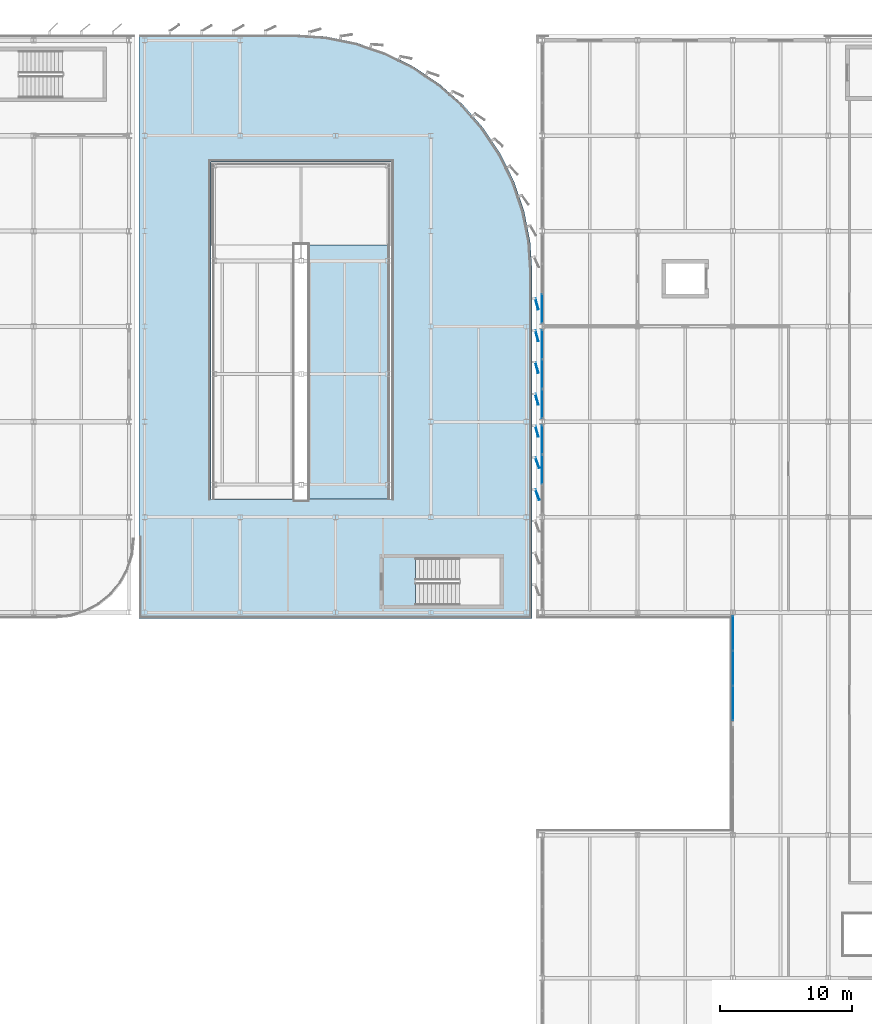
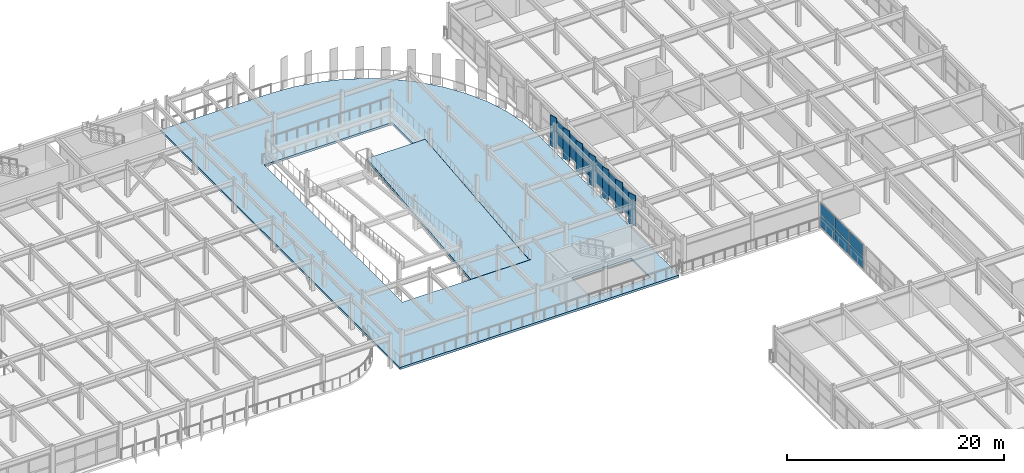
# One storey, part 45 of 80: 25 plates, 2 slabs, 4 elements without a shape of their own.
"""IFC4 building model written with IfcOpenShell, lengths in metres."""

import ifcopenshell
import ifcopenshell.guid

model = None  # the IFC model being written
_history = None  # IfcOwnerHistory: only IFC2X3 demands one
_inside = {}  # id of a spatial element -> (the spatial element, [elements in it])
_under = {}  # id of a project, library or spatial element -> (it, [spatial elements below it])
_declared = {}  # id of a project -> (the project, [libraries it declares])
_typed = {}  # id of a type object -> (the type object, [elements of that type])
_made_of = {}  # id of a material, layer set ... -> (it, [elements and type objects made of it])


def new_model(schema):
    """Start an empty IFC model of exactly this schema.

    Asked for "IFC4X3", IfcOpenShell would pick the latest addendum, in which some entities
    have other attributes; the version numbers below select the first issue.
    IFC2X3 requires an IfcOwnerHistory on every rooted entity: one is made here for all.
    """
    global model, _history
    if schema == "IFC4X3":
        model = ifcopenshell.file(schema_version=(4, 3, 0, 0))
    else:
        model = ifcopenshell.file(schema=schema)
    _inside.clear()
    _under.clear()
    _declared.clear()
    _typed.clear()
    _made_of.clear()
    _history = None
    if model.schema == "IFC2X3":
        org = make("IfcOrganization", Name="unknown")
        user = make(
            "IfcPersonAndOrganization",
            ThePerson=make("IfcPerson", FamilyName="unknown"),
            TheOrganization=org,
        )
        app = make(
            "IfcApplication",
            ApplicationDeveloper=org,
            Version="unknown",
            ApplicationFullName="unknown",
            ApplicationIdentifier="unknown",
        )
        _history = make(
            "IfcOwnerHistory",
            OwningUser=user,
            OwningApplication=app,
            ChangeAction="ADDED",
            CreationDate=0,
        )
    return model


def make(cls, **values):
    """One entity of the class cls with the attributes given. An attribute that is None is left unset."""
    return model.create_entity(
        cls, **{name: value for name, value in values.items() if value is not None}
    )


def rooted(cls, **values):
    """An entity with a GlobalId (a new one), such as an element, a storey or a relation."""
    return make(cls, GlobalId=ifcopenshell.guid.new(), OwnerHistory=_history, **values)


def si_unit(unit_type, name, prefix=None):
    """IfcSIUnit, for example si_unit("LENGTHUNIT", "METRE", prefix="MILLI")."""
    return make("IfcSIUnit", UnitType=unit_type, Prefix=prefix, Name=name)


def assignment(units):
    """IfcUnitAssignment: the units of a project."""
    return None if units is None else make("IfcUnitAssignment", Units=units)


def point(xyz):
    """IfcCartesianPoint."""
    return None if xyz is None else make("IfcCartesianPoint", Coordinates=xyz)


def direction(xyz):
    """IfcDirection."""
    return None if xyz is None else make("IfcDirection", DirectionRatios=xyz)


def frame(location, z_axis=None, x_axis=None):
    """IfcAxis2Placement3D, a coordinate frame: its origin and axes. An axis left out is left unset."""
    return make(
        "IfcAxis2Placement3D",
        Location=point(location),
        Axis=direction(z_axis),
        RefDirection=direction(x_axis),
    )


def frame_2d(location, x_axis=None):
    """IfcAxis2Placement2D, a coordinate frame in the plane: its origin and x axis."""
    return make(
        "IfcAxis2Placement2D", Location=point(location), RefDirection=direction(x_axis)
    )


def origin():
    """The frame at (0, 0, 0) with its axes left unset."""
    return frame((0.0, 0.0, 0.0))


def origin_2d():
    """The frame at (0, 0) in the plane with its x axis left unset."""
    return frame_2d((0.0, 0.0))


def place(relative_to, where):
    """IfcLocalPlacement: puts the frame where relative to a parent placement (None: the world)."""
    return make(
        "IfcLocalPlacement", PlacementRelTo=relative_to, RelativePlacement=where
    )


def context(
    kind, dimensions, precision=None, world=None, true_north=None, identifier=None
):
    """IfcGeometricRepresentationContext, for example the 3D "Model" context."""
    return make(
        "IfcGeometricRepresentationContext",
        ContextIdentifier=identifier,
        ContextType=kind,
        CoordinateSpaceDimension=dimensions,
        Precision=precision,
        WorldCoordinateSystem=world,
        TrueNorth=true_north,
    )


def subcontext(parent, identifier, kind, view, scale=None):
    """IfcGeometricRepresentationSubContext, for example "Body" below "Model"."""
    return make(
        "IfcGeometricRepresentationSubContext",
        ContextIdentifier=identifier,
        ContextType=kind,
        ParentContext=parent,
        TargetScale=scale,
        TargetView=view,
    )


def project(units=None, contexts=None):
    """IfcProject with its units and contexts."""
    return rooted(
        "IfcProject",
        Name="project",
        RepresentationContexts=contexts,
        UnitsInContext=assignment(units),
    )


def spatial(cls, under=None, at=None, **own):
    """A site, building, storey or space (cls), placed at a placement, below another one or the project."""
    s = rooted(cls, ObjectPlacement=at, **own)
    if under is not None:
        _under.setdefault(under.id(), (under, []))[1].append(s)
    return s


def polyline(points):
    """IfcPolyline through the points."""
    return make("IfcPolyline", Points=[point(p) for p in points])


def profile(cls, at=None, kind="AREA", **sizes):
    """A parametric profile (cls). Its sizes go by their IFC names, for example OverallWidth=200.0."""
    return make(cls, ProfileType=kind, Position=at, **sizes)


def rectangle(**sizes):
    """IfcRectangleProfileDef."""
    return profile("IfcRectangleProfileDef", **sizes)


def outline(outer, holes=None, kind="AREA"):
    """IfcArbitraryClosedProfileDef: a profile drawn as a closed curve; with holes, ...WithVoids."""
    if holes is None:
        return make("IfcArbitraryClosedProfileDef", ProfileType=kind, OuterCurve=outer)
    return make(
        "IfcArbitraryProfileDefWithVoids",
        ProfileType=kind,
        OuterCurve=outer,
        InnerCurves=holes,
    )


def extrude(swept, where, along, depth):
    """IfcExtrudedAreaSolid: the profile swept, set in the frame where, extruded along a direction by depth."""
    return make(
        "IfcExtrudedAreaSolid",
        SweptArea=swept,
        Position=where,
        ExtrudedDirection=direction(along),
        Depth=depth,
    )


def shape(context_of_items, identifier, shape_type, items):
    """IfcShapeRepresentation: the items that make up one representation, for example the "Body"."""
    return make(
        "IfcShapeRepresentation",
        ContextOfItems=context_of_items,
        RepresentationIdentifier=identifier,
        RepresentationType=shape_type,
        Items=items,
    )


def material(Name=None, Category=None):
    """IfcMaterial."""
    return make("IfcMaterial", Name=Name, Category=Category)


def layer(
    of_material, thickness, ventilated=None, Name=None, Category=None, Priority=None
):
    """IfcMaterialLayer: one layer of a wall or slab, of a material (None: an air gap)."""
    return make(
        "IfcMaterialLayer",
        Material=of_material,
        LayerThickness=thickness,
        IsVentilated=ventilated,
        Name=Name,
        Category=Category,
        Priority=Priority,
    )


def layer_set(layers, Name=None):
    """IfcMaterialLayerSet."""
    return make("IfcMaterialLayerSet", MaterialLayers=layers, LayerSetName=Name)


def made_of(thing, what):
    """Note that an element or type object is made of a material, layer set ...; save() writes the relation."""
    if what is not None:
        _made_of.setdefault(what.id(), (what, []))[1].append(thing)
    return thing


def type_object(cls, material=None, **own):
    """A type object (cls), such as IfcWallType, which elements share."""
    return made_of(rooted(cls, **own), material)


def element(
    cls,
    number,
    at=None,
    inside=None,
    cuts=None,
    type_object=None,
    material=None,
    context=None,
    identifier="Body",
    shape_type=None,
    held_by="IfcProductDefinitionShape",
    body=None,
    shapes=None,
    **own,
):
    """One element of the class cls, such as IfcWall. Its Tag is "e" and its number.

    at: its placement. inside: the storey or other place that contains it. cuts: it is an
    opening in that element (IfcRelVoidsElement). A single representation is given by context,
    identifier, shape_type and body (its items); several are given by shapes. held_by: the class
    of the entity that holds the representations. save() writes the other relations.
    """
    e = rooted(cls, Tag="e%d" % number, ObjectPlacement=at, **own)
    if body is not None:
        shapes = [shape(context, identifier, shape_type, body)]
    if shapes is not None:
        e.Representation = make(held_by, Representations=shapes)
    if inside is not None:
        _inside.setdefault(inside.id(), (inside, []))[1].append(e)
    if cuts is not None:
        rooted(
            "IfcRelVoidsElement", RelatingBuildingElement=cuts, RelatedOpeningElement=e
        )
    if type_object is not None:
        _typed.setdefault(type_object.id(), (type_object, []))[1].append(e)
    return made_of(e, material)


def aggregate(whole, parts):
    """IfcRelAggregates: a whole, such as a stair, and the parts it consists of."""
    return rooted("IfcRelAggregates", RelatingObject=whole, RelatedObjects=parts)


def save(model, path):
    """Write the relations noted so far, then the file.

    IfcRelAggregates (storeys below a building ...), IfcRelContainedInSpatialStructure (elements
    in a storey), IfcRelDefinesByType, IfcRelAssociatesMaterial and IfcRelDeclares: one each for
    every whole, place, type object, material and project.
    """
    for whole, parts in _under.values():
        aggregate(whole, parts)
    for where, things in _inside.values():
        rooted(
            "IfcRelContainedInSpatialStructure",
            RelatedElements=things,
            RelatingStructure=where,
        )
    for kind, things in _typed.values():
        rooted("IfcRelDefinesByType", RelatedObjects=things, RelatingType=kind)
    for what, things in _made_of.values():
        rooted("IfcRelAssociatesMaterial", RelatedObjects=things, RelatingMaterial=what)
    for by, libraries in _declared.values():
        rooted("IfcRelDeclares", RelatingContext=by, RelatedDefinitions=libraries)
    model.write(path)


model = new_model("IFC4")

# Units and contexts
model_context = context("Model", 3, precision=1e-05, world=origin(), true_north=direction((0.0, 1.0)))
body_context = subcontext(model_context, "Body", "Model", "MODEL_VIEW")
ifc_project = project(units=[si_unit("LENGTHUNIT", "METRE"), si_unit("AREAUNIT", "SQUARE_METRE"), si_unit("VOLUMEUNIT", "CUBIC_METRE"), si_unit("PLANEANGLEUNIT", "RADIAN"), si_unit("MASSUNIT", "GRAM", prefix="KILO")], contexts=[model_context])

# Site, building, storey
site_placement = place(None, origin())
site = spatial("IfcSite", under=ifc_project, at=site_placement, CompositionType="ELEMENT")
building_placement = place(site_placement, origin())
building = spatial("IfcBuilding", under=site, at=building_placement, Name="Vaelcorin Mobility Hub", CompositionType="ELEMENT")
storey_placement = place(building_placement, frame((0.0, 0.0, 9.300048828125)))
storey = spatial("IfcBuildingStorey", under=building, at=storey_placement, Name="L02", CompositionType="ELEMENT", Elevation=9.300048828125)

# Curtain wall, plates
ifc_material_1 = material(Name="Anodised aluminium 6063-T6", Category="aluminium")
curtain_wall_type = type_object("IfcCurtainWallType", Name="CW-MOB-A", PredefinedType="NOTDEFINED", material=ifc_material_1)
curtain_wall_1_placement = place(storey_placement, origin())
curtain_wall_1 = element("IfcCurtainWall", 1, at=curtain_wall_1_placement, inside=storey, type_object=curtain_wall_type, Name="L02 Curtain Wall CW-V5-L02-WN-02", PredefinedType="NOTDEFINED")
ifc_material_2 = material(Name="Low-E solar-control insulated glazing", Category="glass")
ifc_layer_1 = layer(ifc_material_2, 0.028076171875)
ifc_layer_set_1 = layer_set([ifc_layer_1], Name="Low-E solar-control insulated glazing")
plate_type_1 = type_object("IfcPlateType", Name="CW-PAN-GLZ28", PredefinedType="CURTAIN_PANEL", material=ifc_layer_set_1)
plate_1_placement = place(storey_placement, frame((153.60009765625, 87.60009765625, 0.06005859375), z_axis=(0.0, 0.0, 1.0), x_axis=(0.0, 1.0, 0.0)))
plate_1 = element("IfcPlate", 2, at=plate_1_placement, type_object=plate_type_1, Name="CW7 panel 2.1", PredefinedType="CURTAIN_PANEL", context=body_context, shape_type="SweptSolid", body=[
    extrude(rectangle(XDim=2.193359375, YDim=0.028076171875, at=origin_2d()), origin(), (0.0, 0.0, 1.0), 1.323974609375),
])
plate_2_placement = place(storey_placement, frame((153.60009765625, 87.60009765625, 1.44384765625), z_axis=(0.0, 0.0, 1.0), x_axis=(0.0, 1.0, 0.0)))
plate_2 = element("IfcPlate", 3, at=plate_2_placement, type_object=plate_type_1, Name="CW7 panel 2.2", PredefinedType="CURTAIN_PANEL", context=body_context, shape_type="SweptSolid", body=[
    extrude(rectangle(XDim=2.193359375, YDim=0.028076171875, at=origin_2d()), origin(), (0.0, 0.0, 1.0), 1.323974609375),
])
plate_3_placement = place(storey_placement, frame((153.60009765625, 89.83837890625, 0.06005859375), z_axis=(0.0, 0.0, 1.0), x_axis=(0.0, 1.0, 0.0)))
plate_3 = element("IfcPlate", 4, at=plate_3_placement, type_object=plate_type_1, Name="CW7 panel 3.1", PredefinedType="CURTAIN_PANEL", context=body_context, shape_type="SweptSolid", body=[
    extrude(rectangle(XDim=2.163330078125, YDim=0.028076171875, at=origin_2d()), origin(), (0.0, 0.0, 1.0), 1.323974609375),
])
plate_4_placement = place(storey_placement, frame((153.60009765625, 89.83837890625, 1.44384765625), z_axis=(0.0, 0.0, 1.0), x_axis=(0.0, 1.0, 0.0)))
plate_4 = element("IfcPlate", 5, at=plate_4_placement, type_object=plate_type_1, Name="CW7 panel 3.2", PredefinedType="CURTAIN_PANEL", context=body_context, shape_type="SweptSolid", body=[
    extrude(rectangle(XDim=2.163330078125, YDim=0.028076171875, at=origin_2d()), origin(), (0.0, 0.0, 1.0), 1.323974609375),
])
aggregate(curtain_wall_1, [plate_1, plate_2, plate_3, plate_4])

curtain_wall_2_placement = place(storey_placement, origin())
curtain_wall_2 = element("IfcCurtainWall", 6, at=curtain_wall_2_placement, inside=storey, type_object=curtain_wall_type, Name="L02 Curtain Wall CW-V5-L02-WN-03", PredefinedType="NOTDEFINED")
plate_5_placement = place(storey_placement, frame((153.60009765625, 92.561767578125, 0.06005859375), z_axis=(0.0, 0.0, 1.0), x_axis=(0.0, 1.0, 0.0)))
plate_5 = element("IfcPlate", 7, at=plate_5_placement, type_object=plate_type_1, Name="CW7 panel 1.1", PredefinedType="CURTAIN_PANEL", context=body_context, shape_type="SweptSolid", body=[
    extrude(rectangle(XDim=2.163330078125, YDim=0.028076171875, at=origin_2d()), origin(), (0.0, 0.0, 1.0), 1.323974609375),
])
plate_6_placement = place(storey_placement, frame((153.60009765625, 92.561767578125, 1.44384765625), z_axis=(0.0, 0.0, 1.0), x_axis=(0.0, 1.0, 0.0)))
plate_6 = element("IfcPlate", 8, at=plate_6_placement, type_object=plate_type_1, Name="CW7 panel 1.2", PredefinedType="CURTAIN_PANEL", context=body_context, shape_type="SweptSolid", body=[
    extrude(rectangle(XDim=2.163330078125, YDim=0.028076171875, at=origin_2d()), origin(), (0.0, 0.0, 1.0), 1.323974609375),
])
plate_7_placement = place(storey_placement, frame((153.60009765625, 94.800048828125, 0.06005859375), z_axis=(0.0, 0.0, 1.0), x_axis=(0.0, 1.0, 0.0)))
plate_7 = element("IfcPlate", 9, at=plate_7_placement, type_object=plate_type_1, Name="CW7 panel 2.1", PredefinedType="CURTAIN_PANEL", context=body_context, shape_type="SweptSolid", body=[
    extrude(rectangle(XDim=2.193359375, YDim=0.028076171875, at=origin_2d()), origin(), (0.0, 0.0, 1.0), 1.323974609375),
])
plate_8_placement = place(storey_placement, frame((153.60009765625, 94.800048828125, 1.44384765625), z_axis=(0.0, 0.0, 1.0), x_axis=(0.0, 1.0, 0.0)))
plate_8 = element("IfcPlate", 10, at=plate_8_placement, type_object=plate_type_1, Name="CW7 panel 2.2", PredefinedType="CURTAIN_PANEL", context=body_context, shape_type="SweptSolid", body=[
    extrude(rectangle(XDim=2.193359375, YDim=0.028076171875, at=origin_2d()), origin(), (0.0, 0.0, 1.0), 1.323974609375),
])
plate_9_placement = place(storey_placement, frame((153.60009765625, 97.038330078125, 0.06005859375), z_axis=(0.0, 0.0, 1.0), x_axis=(0.0, 1.0, 0.0)))
plate_9 = element("IfcPlate", 11, at=plate_9_placement, type_object=plate_type_1, Name="CW7 panel 3.1", PredefinedType="CURTAIN_PANEL", context=body_context, shape_type="SweptSolid", body=[
    extrude(rectangle(XDim=2.163330078125, YDim=0.028076171875, at=origin_2d()), origin(), (0.0, 0.0, 1.0), 1.323974609375),
])
plate_10_placement = place(storey_placement, frame((153.60009765625, 97.038330078125, 1.44384765625), z_axis=(0.0, 0.0, 1.0), x_axis=(0.0, 1.0, 0.0)))
plate_10 = element("IfcPlate", 12, at=plate_10_placement, type_object=plate_type_1, Name="CW7 panel 3.2", PredefinedType="CURTAIN_PANEL", context=body_context, shape_type="SweptSolid", body=[
    extrude(rectangle(XDim=2.163330078125, YDim=0.028076171875, at=origin_2d()), origin(), (0.0, 0.0, 1.0), 1.323974609375),
])
aggregate(curtain_wall_2, [plate_5, plate_6, plate_7, plate_8, plate_9, plate_10])

curtain_wall_3_placement = place(storey_placement, origin())
curtain_wall_3 = element("IfcCurtainWall", 13, at=curtain_wall_3_placement, inside=storey, type_object=curtain_wall_type, Name="L02 Curtain Wall CW-V5-L02-WN-04", PredefinedType="NOTDEFINED")
plate_11_placement = place(storey_placement, frame((153.60009765625, 99.76171875, 0.06005859375), z_axis=(0.0, 0.0, 1.0), x_axis=(0.0, 1.0, 0.0)))
plate_11 = element("IfcPlate", 14, at=plate_11_placement, type_object=plate_type_1, Name="CW7 panel 1.1", PredefinedType="CURTAIN_PANEL", context=body_context, shape_type="SweptSolid", body=[
    extrude(rectangle(XDim=2.163330078125, YDim=0.028076171875, at=origin_2d()), origin(), (0.0, 0.0, 1.0), 1.323974609375),
])
plate_12_placement = place(storey_placement, frame((153.60009765625, 99.76171875, 1.44384765625), z_axis=(0.0, 0.0, 1.0), x_axis=(0.0, 1.0, 0.0)))
plate_12 = element("IfcPlate", 15, at=plate_12_placement, type_object=plate_type_1, Name="CW7 panel 1.2", PredefinedType="CURTAIN_PANEL", context=body_context, shape_type="SweptSolid", body=[
    extrude(rectangle(XDim=2.163330078125, YDim=0.028076171875, at=origin_2d()), origin(), (0.0, 0.0, 1.0), 1.323974609375),
])
aggregate(curtain_wall_3, [plate_11, plate_12])

curtain_wall_4_placement = place(storey_placement, origin())
curtain_wall_4 = element("IfcCurtainWall", 16, at=curtain_wall_4_placement, inside=storey, type_object=curtain_wall_type, Name="L02 Curtain Wall CW-V5-L02-NOTCH-2", PredefinedType="NOTDEFINED")
plate_13_placement = place(storey_placement, frame((168.0, 69.961669921875, 0.06005859375), z_axis=(0.0, 0.0, 1.0), x_axis=(0.0, 1.0, 0.0)))
plate_13 = element("IfcPlate", 17, at=plate_13_placement, type_object=plate_type_1, Name="CW7 panel 1.1", PredefinedType="CURTAIN_PANEL", context=body_context, shape_type="SweptSolid", body=[
    extrude(rectangle(XDim=2.563232421875, YDim=0.028076171875, at=origin_2d()), origin(), (0.0, 0.0, 1.0), 1.323974609375),
])
plate_14_placement = place(storey_placement, frame((168.0, 69.961669921875, 1.44384765625), z_axis=(0.0, 0.0, 1.0), x_axis=(0.0, 1.0, 0.0)))
plate_14 = element("IfcPlate", 18, at=plate_14_placement, type_object=plate_type_1, Name="CW7 panel 1.2", PredefinedType="CURTAIN_PANEL", context=body_context, shape_type="SweptSolid", body=[
    extrude(rectangle(XDim=2.563232421875, YDim=0.028076171875, at=origin_2d()), origin(), (0.0, 0.0, 1.0), 1.323974609375),
])
plate_15_placement = place(storey_placement, frame((168.0, 72.60009765625, 0.06005859375), z_axis=(0.0, 0.0, 1.0), x_axis=(0.0, 1.0, 0.0)))
plate_15 = element("IfcPlate", 19, at=plate_15_placement, type_object=plate_type_1, Name="CW7 panel 2.1", PredefinedType="CURTAIN_PANEL", context=body_context, shape_type="SweptSolid", body=[
    extrude(rectangle(XDim=2.59326171875, YDim=0.028076171875, at=origin_2d()), origin(), (0.0, 0.0, 1.0), 1.323974609375),
])
plate_16_placement = place(storey_placement, frame((168.0, 72.60009765625, 1.44384765625), z_axis=(0.0, 0.0, 1.0), x_axis=(0.0, 1.0, 0.0)))
plate_16 = element("IfcPlate", 20, at=plate_16_placement, type_object=plate_type_1, Name="CW7 panel 2.2", PredefinedType="CURTAIN_PANEL", context=body_context, shape_type="SweptSolid", body=[
    extrude(rectangle(XDim=2.59326171875, YDim=0.028076171875, at=origin_2d()), origin(), (0.0, 0.0, 1.0), 1.323974609375),
])
plate_17_placement = place(storey_placement, frame((168.0, 75.23828125, 0.06005859375), z_axis=(0.0, 0.0, 1.0), x_axis=(0.0, 1.0, 0.0)))
plate_17 = element("IfcPlate", 21, at=plate_17_placement, type_object=plate_type_1, Name="CW7 panel 3.1", PredefinedType="CURTAIN_PANEL", context=body_context, shape_type="SweptSolid", body=[
    extrude(rectangle(XDim=2.563232421875, YDim=0.028076171875, at=origin_2d()), origin(), (0.0, 0.0, 1.0), 1.323974609375),
])
plate_18_placement = place(storey_placement, frame((168.0, 75.23828125, 1.44384765625), z_axis=(0.0, 0.0, 1.0), x_axis=(0.0, 1.0, 0.0)))
plate_18 = element("IfcPlate", 22, at=plate_18_placement, type_object=plate_type_1, Name="CW7 panel 3.2", PredefinedType="CURTAIN_PANEL", context=body_context, shape_type="SweptSolid", body=[
    extrude(rectangle(XDim=2.563232421875, YDim=0.028076171875, at=origin_2d()), origin(), (0.0, 0.0, 1.0), 1.323974609375),
])
aggregate(curtain_wall_4, [plate_13, plate_14, plate_15, plate_16, plate_17, plate_18])

# Plates
ifc_material_3 = material(Name="Perforated terracotta-bronze aluminium aerofoil", Category="masonry")
ifc_layer_2 = layer(ifc_material_3, 0.06005859375)
ifc_layer_set_2 = layer_set([ifc_layer_2], Name="Perforated terracotta-bronze aluminium aerofoil")
plate_type_2 = type_object("IfcPlateType", Name="PL-FIN-AF1", PredefinedType="SHEET", material=ifc_layer_set_2)
for number, where, z_axis, x_axis, name in (
    (23, (153.199951171875, 100.089111328125, -0.16015625), (0.0, 0.0, 1.0), (0.258819045103, -0.965925826289, 0.0), "Rotating Terracotta-Bronze Aerofoil Fin FIN-V2E-L02-E-AF-01"),
    (24, (153.199951171875, 97.68896484375, -0.16015625), (0.0, 0.0, 1.0), (0.258819045103, -0.965925826289, 0.0), "Rotating Terracotta-Bronze Aerofoil Fin FIN-V2E-L02-E-AF-02"),
    (25, (153.199951171875, 95.2890625, -0.16015625), (0.0, 0.0, 1.0), (0.258819045103, -0.965925826289, 0.0), "Rotating Terracotta-Bronze Aerofoil Fin FIN-V2E-L02-E-AF-03"),
    (26, (153.199951171875, 92.888916015625, -0.16015625), (0.0, 0.0, 1.0), (0.258819045103, -0.965925826289, 0.0), "Rotating Terracotta-Bronze Aerofoil Fin FIN-V2E-L02-E-AF-04"),
    (27, (153.199951171875, 90.489013671875, -0.16015625), (0.0, 0.0, 1.0), (0.258819045103, -0.965925826289, 0.0), "Rotating Terracotta-Bronze Aerofoil Fin FIN-V2E-L02-E-AF-05"),
    (28, (153.235107421875, 88.10107421875, -0.16015625), (0.0, 0.0, 1.0), (0.342020143326, -0.939692620786, 0.0), "Rotating Terracotta-Bronze Aerofoil Fin FIN-V2E-L02-E-AF-06"),
    (29, (153.235107421875, 85.700927734375, -0.16015625), (0.0, 0.0, 1.0), (0.342020143326, -0.939692620786, 0.0), "Rotating Terracotta-Bronze Aerofoil Fin FIN-V2E-L02-E-AF-07"),
):
    element("IfcPlate", number, at=place(storey_placement, frame(where, z_axis=z_axis, x_axis=x_axis)), inside=storey, type_object=plate_type_2, Name=name, PredefinedType="SHEET", context=body_context, shape_type="SweptSolid", body=[
        extrude(rectangle(XDim=0.85009765625, YDim=0.06005859375, at=origin_2d()), origin(), (0.0, 0.0, 1.0), 3.5),
    ])

# Slabs
ifc_material_4 = material(Name="Concrete f'c 35 MPa", Category="concrete")
ifc_layer_3 = layer(ifc_material_4, 0.25)
ifc_layer_set_3 = layer_set([ifc_layer_3], Name="Concrete f'c 35 MPa")
slab_type_1 = type_object("IfcSlabType", Name="SLAB-RMP", PredefinedType="FLOOR", material=ifc_layer_set_3)
slab_1_placement = place(storey_placement, frame((0.0, 0.0, -0.25)))
element("IfcSlab", 30, at=slab_1_placement, inside=storey, type_object=slab_type_1, Name="L02 V2E Ramp Transition Deck SL-V2E-L02", PredefinedType="FLOOR", context=body_context, shape_type="SweptSolid", body=[
    extrude(outline(polyline([(123.14990234375, 120.449951171875), (134.85009765625, 120.449951171875), (137.198974609375, 120.2958984375), (139.509033203125, 119.8369140625), (141.738037109375, 119.080078125), (143.85009765625, 118.0380859375), (145.80810546875, 116.72998046875), (147.577880859375, 115.177978515625), (149.1298828125, 113.407958984375), (150.43798828125, 111.449951171875), (151.47998046875, 109.337890625), (152.237060546875, 107.10888671875), (152.696044921875, 104.799072265625), (152.85009765625, 102.449951171875), (152.85009765625, 76.35009765625), (123.14990234375, 76.35009765625), (123.14990234375, 120.449951171875)]), holes=[polyline([(150.39990234375, 80.909912109375), (144.054931640625, 80.909912109375), (144.054931640625, 77.35009765625), (150.39990234375, 77.35009765625), (150.39990234375, 80.909912109375)]), polyline([(142.199951171875, 110.800048828125), (128.60009765625, 110.800048828125), (128.60009765625, 85.340087890625), (142.199951171875, 85.340087890625), (142.199951171875, 110.800048828125)])]), origin(), (0.0, 0.0, 1.0), 0.25),
])
ifc_layer_4 = layer(ifc_material_4, 0.280029296875)
ifc_layer_set_4 = layer_set([ifc_layer_4], Name="Concrete f'c 35 MPa")
slab_type_2 = type_object("IfcSlabType", Name="SLAB-RMP-VR2", PredefinedType="FLOOR", material=ifc_layer_set_4)
slab_2_placement = place(storey_placement, frame((135.89990234375, 85.360107421875, 0.0), z_axis=(0.0, -0.101144847313, 0.994871710253), x_axis=(1.0, 0.0, 0.0)))
element("IfcSlab", 31, at=slab_2_placement, inside=storey, type_object=slab_type_2, Name="Vehicle Ramp VR-2 Slab L02 Flight 1", PredefinedType="FLOOR", context=body_context, shape_type="SweptSolid", body=[
    extrude(outline(polyline([(0.0, 0.0), (6.2001953125, 0.0), (6.2001953125, 19.278798907394222), (0.0, 19.278798907394222), (0.0, 0.0)])), origin(), (0.0, 0.0, -1.0), 0.280029296875),
])

save(model, "model.ifc")
